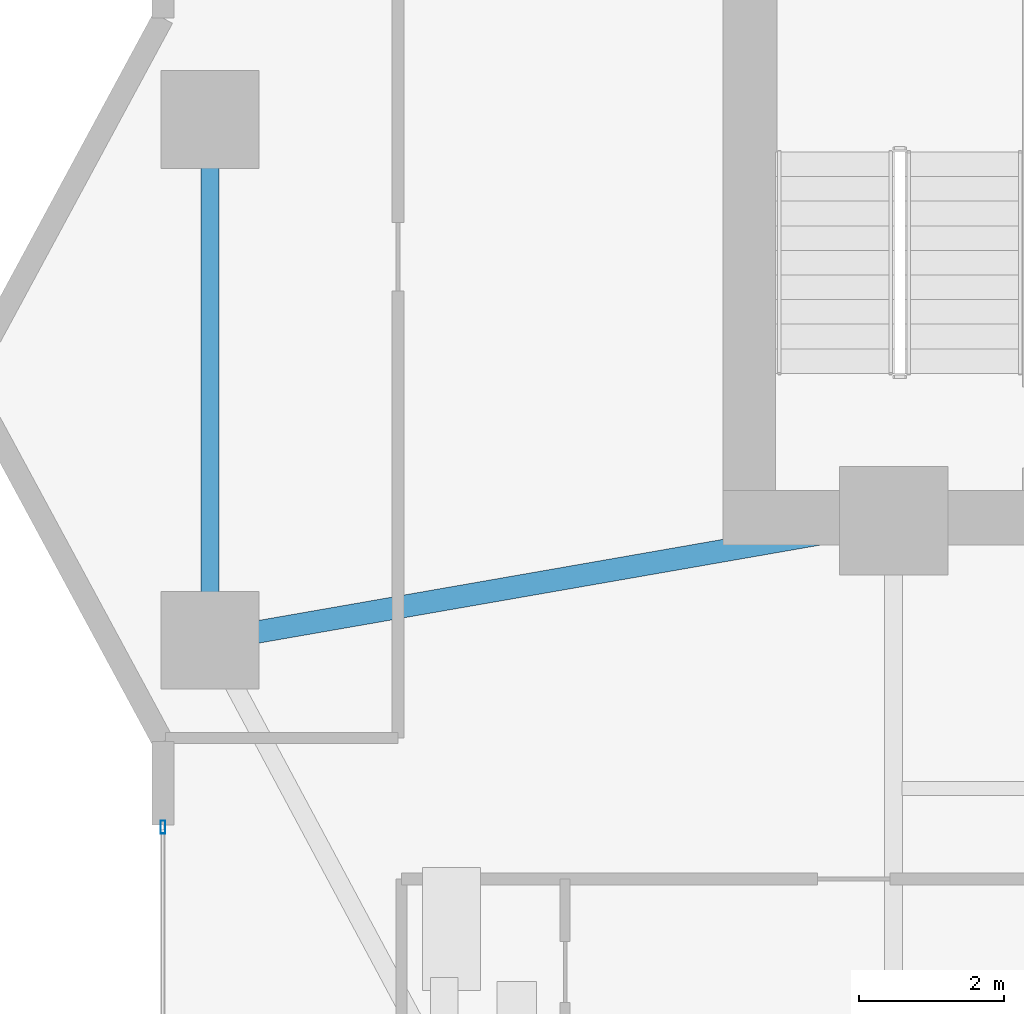
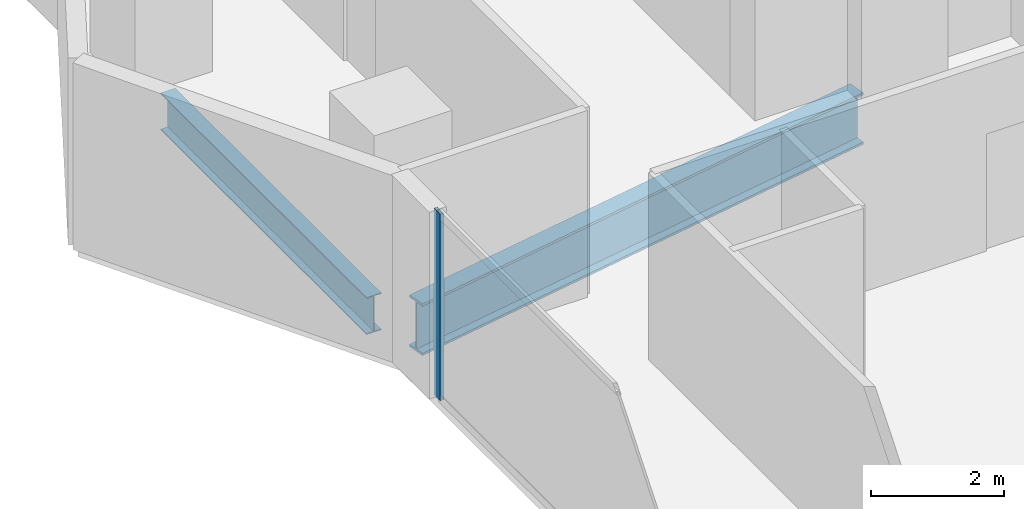
# One storey, part 7 of 28: 2 beams, 1 member, 1 element without a shape of its own.
"""IFC4 building model written with IfcOpenShell, lengths in metres."""

from ifc_helpers import new_model, si_unit, direction, frame, origin, origin_2d, place, context, subcontext, project, spatial, hollow_rectangle, i_section, extrude, material, layer, layer_set, material_profile, profile_set, type_object, element, aggregate, save


model = new_model("IFC4")

# Units and contexts
model_context = context("Model", 3, precision=1e-05, world=origin(), true_north=direction((0.0, 1.0)))
body_context = subcontext(model_context, "Body", "Model", "MODEL_VIEW")
ifc_project = project(units=[si_unit("LENGTHUNIT", "METRE"), si_unit("AREAUNIT", "SQUARE_METRE"), si_unit("VOLUMEUNIT", "CUBIC_METRE"), si_unit("PLANEANGLEUNIT", "RADIAN"), si_unit("MASSUNIT", "GRAM", prefix="KILO")], contexts=[model_context])

# Site, building, storey
site_placement = place(None, origin())
site = spatial("IfcSite", under=ifc_project, at=site_placement, CompositionType="ELEMENT")
building_placement = place(site_placement, origin())
building = spatial("IfcBuilding", under=site, at=building_placement, Name="Zuhayl Quay Hotel", CompositionType="ELEMENT")
storey_placement = place(building_placement, frame((0.0, 0.0, 146.75)))
storey = spatial("IfcBuildingStorey", under=building, at=storey_placement, Name="L37", CompositionType="ELEMENT", Elevation=146.75)

# Beams
ifc_material_1 = material(Name="Steel ASTM A992 Grade 50", Category="steel")
ifc_material_profile_1 = material_profile(ifc_material_1, i_section(OverallWidth=0.25390625, OverallDepth=0.68310546875, WebThickness=0.012451171875, FlangeThickness=0.018798828125, at=origin_2d()), Name="W27X94")
ifc_profile_set_1 = profile_set([ifc_material_profile_1], Name="Steel ASTM A992 Grade 50")
beam_type_1 = type_object("IfcBeamType", Name="BM_B2_W27X94", PredefinedType="BEAM", material=ifc_profile_set_1)
beam_1_placement = place(storey_placement, frame((-23.25, 9.60009765625, -0.5615234375), z_axis=(0.0, -1.0, 0.0), x_axis=(1.0, 0.0, 0.0)))
element("IfcBeam", 1, at=beam_1_placement, inside=storey, type_object=beam_type_1, Name="L37 Floor Beam RG_L37_11", PredefinedType="BEAM", context=body_context, shape_type="SweptSolid", body=[
    extrude(i_section(OverallWidth=0.25390625, OverallDepth=0.68310546875, WebThickness=0.012451171875, FlangeThickness=0.018798828125, at=origin_2d()), origin(), (0.0, 0.0, 1.0), 6.2001953125),
])
ifc_material_profile_2 = material_profile(ifc_material_1, i_section(OverallWidth=0.31005859375, OverallDepth=0.949951171875, WebThickness=0.0244140625, FlangeThickness=0.0439453125, at=origin_2d()), Name="W36X256")
ifc_profile_set_2 = profile_set([ifc_material_profile_2], Name="Steel ASTM A992 Grade 50")
beam_type_2 = type_object("IfcBeamType", Name="BM_PG1_W36X256", PredefinedType="BEAM", material=ifc_profile_set_2)
beam_2_placement = place(storey_placement, frame((-22.757568359375, 2.986083984375, -0.695068359375), z_axis=(0.985097302632, 0.171997977741, 0.0), x_axis=(-0.171997977741, 0.985097302632, 0.0)))
element("IfcBeam", 2, at=beam_2_placement, inside=storey, type_object=beam_type_2, Name="L37 Floor Beam FG_W_L37_1", PredefinedType="BEAM", context=body_context, shape_type="SweptSolid", body=[
    extrude(i_section(OverallWidth=0.31005859375, OverallDepth=0.949951171875, WebThickness=0.0244140625, FlangeThickness=0.0439453125, at=origin_2d()), origin(), (0.0, 0.0, 1.0), 8.64306640625),
])

# Curtain wall, member
ifc_material_2 = material(Name="Anodised Aluminium 6063-T6", Category="aluminium")
ifc_layer = layer(ifc_material_2, 0.179931640625, Name="Anodised Aluminium 6063-T6", Category="aluminium")
ifc_layer_set = layer_set([ifc_layer], Name="Anodised Aluminium 6063-T6")
curtain_wall_type = type_object("IfcCurtainWallType", Name="CW_SYS_Z2", PredefinedType="USERDEFINED", material=ifc_layer_set)
curtain_wall_placement = place(storey_placement, origin())
curtain_wall = element("IfcCurtainWall", 3, at=curtain_wall_placement, inside=storey, type_object=curtain_wall_type, Name="L37 Curtain Wall ENV_L37_E02_CW1", ObjectType="UNITISED CURTAIN WALL", PredefinedType="USERDEFINED")
ifc_material_3 = material(Name="Black-anodised aluminium 6063-T6", Category="aluminium")
ifc_material_profile_3 = material_profile(ifc_material_3, hollow_rectangle(XDim=0.06494140625, YDim=0.179931640625, WallThickness=0.00341796875, at=origin_2d()), Name="ALU180X65")
ifc_profile_set_3 = profile_set([ifc_material_profile_3], Name="Black-anodised aluminium 6063-T6")
member_type = type_object("IfcMemberType", Name="MB_CW_MUL_180", PredefinedType="MULLION", material=ifc_profile_set_3)
member_placement = place(storey_placement, frame((-23.89990234375, 0.3173828125, 0.0), z_axis=(0.0, 0.0, 1.0), x_axis=(-1.0, 0.0, 0.0)))
member = element("IfcMember", 4, at=member_placement, type_object=member_type, Name="CW-Z2 mullion 2", PredefinedType="MULLION", context=body_context, shape_type="SweptSolid", body=[
    extrude(hollow_rectangle(XDim=0.06494140625, YDim=0.179931640625, WallThickness=0.00341796875, at=origin_2d()), origin(), (0.0, 0.0, 1.0), 3.429931640625),
])
aggregate(curtain_wall, [member])

save(model, "model.ifc")
